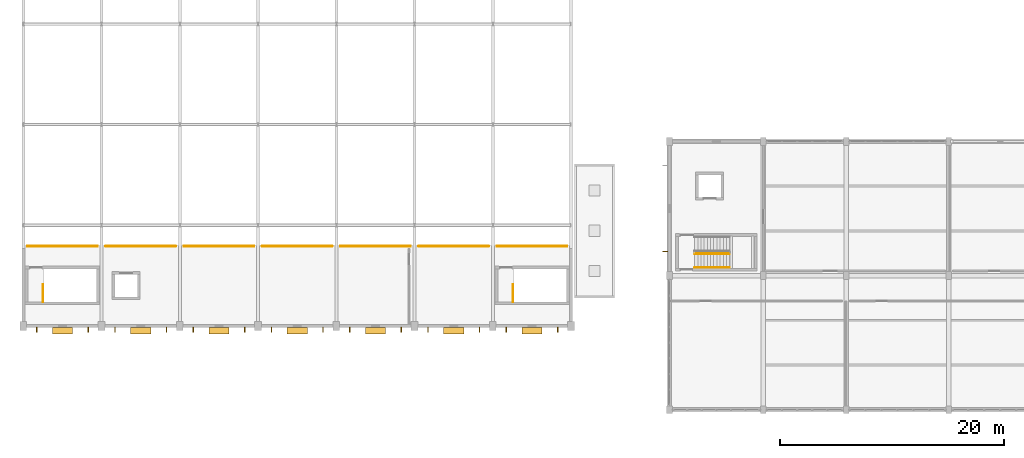
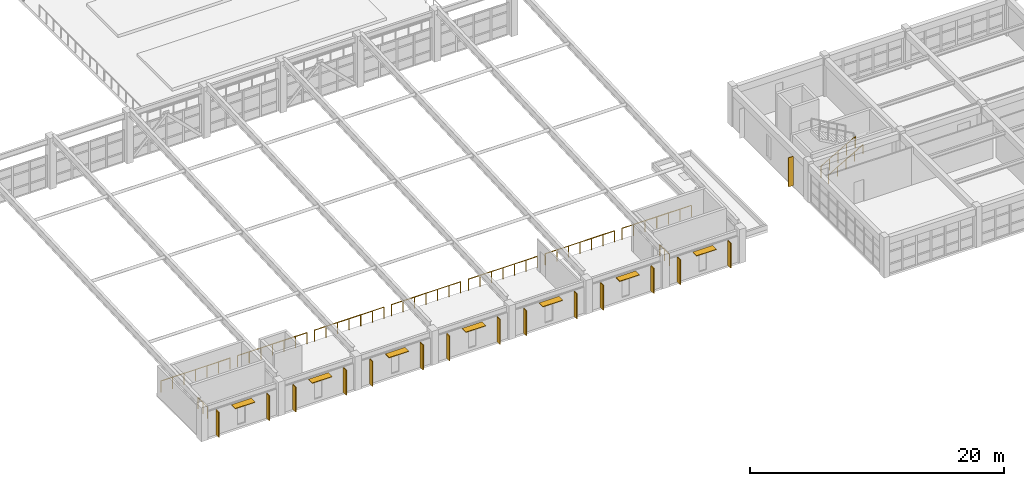
# One storey, part 108 of 150: 22 shading devices, 11 railings.
"""IFC4 building model written with IfcOpenShell, lengths in metres."""

import ifcopenshell
import ifcopenshell.guid

model = None  # the IFC model being written
_history = None  # IfcOwnerHistory: only IFC2X3 demands one
_inside = {}  # id of a spatial element -> (the spatial element, [elements in it])
_under = {}  # id of a project, library or spatial element -> (it, [spatial elements below it])
_declared = {}  # id of a project -> (the project, [libraries it declares])
_typed = {}  # id of a type object -> (the type object, [elements of that type])
_made_of = {}  # id of a material, layer set ... -> (it, [elements and type objects made of it])


def new_model(schema):
    """Start an empty IFC model of exactly this schema.

    Asked for "IFC4X3", IfcOpenShell would pick the latest addendum, in which some entities
    have other attributes; the version numbers below select the first issue.
    IFC2X3 requires an IfcOwnerHistory on every rooted entity: one is made here for all.
    """
    global model, _history
    if schema == "IFC4X3":
        model = ifcopenshell.file(schema_version=(4, 3, 0, 0))
    else:
        model = ifcopenshell.file(schema=schema)
    _inside.clear()
    _under.clear()
    _declared.clear()
    _typed.clear()
    _made_of.clear()
    _history = None
    if model.schema == "IFC2X3":
        org = make("IfcOrganization", Name="unknown")
        user = make(
            "IfcPersonAndOrganization",
            ThePerson=make("IfcPerson", FamilyName="unknown"),
            TheOrganization=org,
        )
        app = make(
            "IfcApplication",
            ApplicationDeveloper=org,
            Version="unknown",
            ApplicationFullName="unknown",
            ApplicationIdentifier="unknown",
        )
        _history = make(
            "IfcOwnerHistory",
            OwningUser=user,
            OwningApplication=app,
            ChangeAction="ADDED",
            CreationDate=0,
        )
    return model


def make(cls, **values):
    """One entity of the class cls with the attributes given. An attribute that is None is left unset."""
    return model.create_entity(
        cls, **{name: value for name, value in values.items() if value is not None}
    )


def rooted(cls, **values):
    """An entity with a GlobalId (a new one), such as an element, a storey or a relation."""
    return make(cls, GlobalId=ifcopenshell.guid.new(), OwnerHistory=_history, **values)


def si_unit(unit_type, name, prefix=None):
    """IfcSIUnit, for example si_unit("LENGTHUNIT", "METRE", prefix="MILLI")."""
    return make("IfcSIUnit", UnitType=unit_type, Prefix=prefix, Name=name)


def assignment(units):
    """IfcUnitAssignment: the units of a project."""
    return None if units is None else make("IfcUnitAssignment", Units=units)


def point(xyz):
    """IfcCartesianPoint."""
    return None if xyz is None else make("IfcCartesianPoint", Coordinates=xyz)


def direction(xyz):
    """IfcDirection."""
    return None if xyz is None else make("IfcDirection", DirectionRatios=xyz)


def frame(location, z_axis=None, x_axis=None):
    """IfcAxis2Placement3D, a coordinate frame: its origin and axes. An axis left out is left unset."""
    return make(
        "IfcAxis2Placement3D",
        Location=point(location),
        Axis=direction(z_axis),
        RefDirection=direction(x_axis),
    )


def frame_2d(location, x_axis=None):
    """IfcAxis2Placement2D, a coordinate frame in the plane: its origin and x axis."""
    return make(
        "IfcAxis2Placement2D", Location=point(location), RefDirection=direction(x_axis)
    )


def origin():
    """The frame at (0, 0, 0) with its axes left unset."""
    return frame((0.0, 0.0, 0.0))


def origin_2d():
    """The frame at (0, 0) in the plane with its x axis left unset."""
    return frame_2d((0.0, 0.0))


def place(relative_to, where):
    """IfcLocalPlacement: puts the frame where relative to a parent placement (None: the world)."""
    return make(
        "IfcLocalPlacement", PlacementRelTo=relative_to, RelativePlacement=where
    )


def context(
    kind, dimensions, precision=None, world=None, true_north=None, identifier=None
):
    """IfcGeometricRepresentationContext, for example the 3D "Model" context."""
    return make(
        "IfcGeometricRepresentationContext",
        ContextIdentifier=identifier,
        ContextType=kind,
        CoordinateSpaceDimension=dimensions,
        Precision=precision,
        WorldCoordinateSystem=world,
        TrueNorth=true_north,
    )


def subcontext(parent, identifier, kind, view, scale=None):
    """IfcGeometricRepresentationSubContext, for example "Body" below "Model"."""
    return make(
        "IfcGeometricRepresentationSubContext",
        ContextIdentifier=identifier,
        ContextType=kind,
        ParentContext=parent,
        TargetScale=scale,
        TargetView=view,
    )


def project(units=None, contexts=None):
    """IfcProject with its units and contexts."""
    return rooted(
        "IfcProject",
        Name="project",
        RepresentationContexts=contexts,
        UnitsInContext=assignment(units),
    )


def spatial(cls, under=None, at=None, **own):
    """A site, building, storey or space (cls), placed at a placement, below another one or the project."""
    s = rooted(cls, ObjectPlacement=at, **own)
    if under is not None:
        _under.setdefault(under.id(), (under, []))[1].append(s)
    return s


def profile(cls, at=None, kind="AREA", **sizes):
    """A parametric profile (cls). Its sizes go by their IFC names, for example OverallWidth=200.0."""
    return make(cls, ProfileType=kind, Position=at, **sizes)


def rectangle(**sizes):
    """IfcRectangleProfileDef."""
    return profile("IfcRectangleProfileDef", **sizes)


def circle(**sizes):
    """IfcCircleProfileDef."""
    return profile("IfcCircleProfileDef", **sizes)


def extrude(swept, where, along, depth):
    """IfcExtrudedAreaSolid: the profile swept, set in the frame where, extruded along a direction by depth."""
    return make(
        "IfcExtrudedAreaSolid",
        SweptArea=swept,
        Position=where,
        ExtrudedDirection=direction(along),
        Depth=depth,
    )


def shape(context_of_items, identifier, shape_type, items):
    """IfcShapeRepresentation: the items that make up one representation, for example the "Body"."""
    return make(
        "IfcShapeRepresentation",
        ContextOfItems=context_of_items,
        RepresentationIdentifier=identifier,
        RepresentationType=shape_type,
        Items=items,
    )


def material(Name=None, Category=None):
    """IfcMaterial."""
    return make("IfcMaterial", Name=Name, Category=Category)


def layer(
    of_material, thickness, ventilated=None, Name=None, Category=None, Priority=None
):
    """IfcMaterialLayer: one layer of a wall or slab, of a material (None: an air gap)."""
    return make(
        "IfcMaterialLayer",
        Material=of_material,
        LayerThickness=thickness,
        IsVentilated=ventilated,
        Name=Name,
        Category=Category,
        Priority=Priority,
    )


def layer_set(layers, Name=None):
    """IfcMaterialLayerSet."""
    return make("IfcMaterialLayerSet", MaterialLayers=layers, LayerSetName=Name)


def made_of(thing, what):
    """Note that an element or type object is made of a material, layer set ...; save() writes the relation."""
    if what is not None:
        _made_of.setdefault(what.id(), (what, []))[1].append(thing)
    return thing


def type_object(cls, material=None, **own):
    """A type object (cls), such as IfcWallType, which elements share."""
    return made_of(rooted(cls, **own), material)


def element(
    cls,
    number,
    at=None,
    inside=None,
    cuts=None,
    type_object=None,
    material=None,
    context=None,
    identifier="Body",
    shape_type=None,
    held_by="IfcProductDefinitionShape",
    body=None,
    shapes=None,
    **own,
):
    """One element of the class cls, such as IfcWall. Its Tag is "e" and its number.

    at: its placement. inside: the storey or other place that contains it. cuts: it is an
    opening in that element (IfcRelVoidsElement). A single representation is given by context,
    identifier, shape_type and body (its items); several are given by shapes. held_by: the class
    of the entity that holds the representations. save() writes the other relations.
    """
    e = rooted(cls, Tag="e%d" % number, ObjectPlacement=at, **own)
    if body is not None:
        shapes = [shape(context, identifier, shape_type, body)]
    if shapes is not None:
        e.Representation = make(held_by, Representations=shapes)
    if inside is not None:
        _inside.setdefault(inside.id(), (inside, []))[1].append(e)
    if cuts is not None:
        rooted(
            "IfcRelVoidsElement", RelatingBuildingElement=cuts, RelatedOpeningElement=e
        )
    if type_object is not None:
        _typed.setdefault(type_object.id(), (type_object, []))[1].append(e)
    return made_of(e, material)


def aggregate(whole, parts):
    """IfcRelAggregates: a whole, such as a stair, and the parts it consists of."""
    return rooted("IfcRelAggregates", RelatingObject=whole, RelatedObjects=parts)


def save(model, path):
    """Write the relations noted so far, then the file.

    IfcRelAggregates (storeys below a building ...), IfcRelContainedInSpatialStructure (elements
    in a storey), IfcRelDefinesByType, IfcRelAssociatesMaterial and IfcRelDeclares: one each for
    every whole, place, type object, material and project.
    """
    for whole, parts in _under.values():
        aggregate(whole, parts)
    for where, things in _inside.values():
        rooted(
            "IfcRelContainedInSpatialStructure",
            RelatedElements=things,
            RelatingStructure=where,
        )
    for kind, things in _typed.values():
        rooted("IfcRelDefinesByType", RelatedObjects=things, RelatingType=kind)
    for what, things in _made_of.values():
        rooted("IfcRelAssociatesMaterial", RelatedObjects=things, RelatingMaterial=what)
    for by, libraries in _declared.values():
        rooted("IfcRelDeclares", RelatingContext=by, RelatedDefinitions=libraries)
    model.write(path)


model = new_model("IFC4")

# Units and contexts
model_context = context("Model", 3, precision=1e-05, world=origin(), true_north=direction((0.0, 1.0)))
body_context = subcontext(model_context, "Body", "Model", "MODEL_VIEW")
ifc_project = project(units=[si_unit("LENGTHUNIT", "METRE"), si_unit("AREAUNIT", "SQUARE_METRE"), si_unit("VOLUMEUNIT", "CUBIC_METRE"), si_unit("PLANEANGLEUNIT", "RADIAN"), si_unit("MASSUNIT", "GRAM", prefix="KILO")], contexts=[model_context])

# Site, building, storey
site_placement = place(None, origin())
site = spatial("IfcSite", under=ifc_project, at=site_placement, CompositionType="ELEMENT")
building_placement = place(site_placement, origin())
building = spatial("IfcBuilding", under=site, at=building_placement, Name="Kestramere Prow Commons", CompositionType="ELEMENT")
storey_placement = place(building_placement, frame((0.0, 0.0, 4.5)))
storey = spatial("IfcBuildingStorey", under=building, at=storey_placement, Name="L01", CompositionType="ELEMENT", Elevation=4.5)

# Railings
ifc_material_1 = material(Name="Galvanised Steel S355JR", Category="steel")
railing_type_1 = type_object("IfcRailingType", Name="GRD-STEEL-1100", PredefinedType="GUARDRAIL", material=ifc_material_1)
for number, where, name in (
    (1, (2.550048828125, 14.6201171875, 0.0), "Community Hall Gallery Guardrail 1"),
    (2, (9.550048828125, 14.6201171875, 0.0), "Community Hall Gallery Guardrail 2"),
    (3, (16.550048828125, 14.6201171875, 0.0), "Community Hall Gallery Guardrail 3"),
    (4, (23.550048828125, 14.6201171875, 0.0), "Community Hall Gallery Guardrail 4"),
    (5, (30.550048828125, 14.6201171875, 0.0), "Community Hall Gallery Guardrail 5"),
    (6, (37.550048828125, 14.6201171875, 0.0), "Community Hall Gallery Guardrail 6"),
    (7, (44.550048828125, 14.6201171875, 0.0), "Community Hall Gallery Guardrail 7"),
):
    element("IfcRailing", number, at=place(storey_placement, frame(where)), inside=storey, type_object=railing_type_1, Name=name, PredefinedType="GUARDRAIL", context=body_context, shape_type="SweptSolid", body=[
        extrude(circle(Radius=0.02392578125, at=origin_2d()), frame((0.0, 0.0, 1.076171875), z_axis=(1.0, 0.0, 0.0), x_axis=(0.0, 1.0, 0.0)), (0.0, 0.0, 1.0), 6.300048828125),
        extrude(circle(Radius=0.02099609375, at=origin_2d()), origin(), (0.0, 0.0, 1.0), 1.052001953125),
        extrude(circle(Radius=0.02099609375, at=origin_2d()), frame((1.050048828125, 0.0, 0.0)), (0.0, 0.0, 1.0), 1.052001953125),
        extrude(circle(Radius=0.02099609375, at=origin_2d()), frame((2.10009765625, 0.0, 0.0)), (0.0, 0.0, 1.0), 1.052001953125),
        extrude(circle(Radius=0.02099609375, at=origin_2d()), frame((3.14990234375, 0.0, 0.0)), (0.0, 0.0, 1.0), 1.052001953125),
        extrude(circle(Radius=0.02099609375, at=origin_2d()), frame((4.199951171875, 0.0, 0.0)), (0.0, 0.0, 1.0), 1.052001953125),
        extrude(circle(Radius=0.02099609375, at=origin_2d()), frame((5.25, 0.0, 0.0)), (0.0, 0.0, 1.0), 1.052001953125),
        extrude(circle(Radius=0.02099609375, at=origin_2d()), frame((6.300048828125, 0.0, 0.0)), (0.0, 0.0, 1.0), 1.052001953125),
    ])
ifc_material_2 = material(Name="Galvanised Steel S275JR", Category="steel")
railing_type_2 = type_object("IfcRailingType", Name="RL-ST-GR-1100", PredefinedType="GUARDRAIL", material=ifc_material_2)
for number, where, name in (
    (8, (3.949951171875, 9.64990234375, 0.0), "L01 ST-H1 top well guard 1"),
    (9, (46.0, 9.64990234375, 0.0), "L01 ST-H2 top well guard 1"),
):
    element("IfcRailing", number, at=place(storey_placement, frame(where)), inside=storey, type_object=railing_type_2, Name=name, PredefinedType="GUARDRAIL", context=body_context, shape_type="SweptSolid", body=[
        extrude(circle(Radius=0.02392578125, at=origin_2d()), frame((0.0, 0.0, 1.076171875), z_axis=(0.0, 1.0, 0.0), x_axis=(-1.0, 0.0, 0.0)), (0.0, 0.0, 1.0), 1.550048828125),
        extrude(circle(Radius=0.02099609375, at=origin_2d()), origin(), (0.0, 0.0, 1.0), 1.052001953125),
        extrude(circle(Radius=0.02099609375, at=origin_2d()), frame((0.0, 0.77490234375, 0.0)), (0.0, 0.0, 1.0), 1.052001953125),
        extrude(circle(Radius=0.02099609375, at=origin_2d()), frame((0.0, 1.550048828125, 0.0)), (0.0, 0.0, 1.0), 1.052001953125),
    ])
railing_1_placement = place(storey_placement, frame((62.25, 13.949951171875, 0.16259765625)))
element("IfcRailing", 10, at=railing_1_placement, inside=storey, type_object=railing_type_2, Name="L01 ST-M1 stair guard 1", PredefinedType="GUARDRAIL", context=body_context, shape_type="SweptSolid", body=[
    extrude(circle(Radius=0.02392578125, at=origin_2d()), frame((0.0, 0.0, 1.076171875), z_axis=(0.868729823959, 0.0, 0.495286273749), x_axis=(0.0, 1.0, 0.0)), (0.0, 0.0, 1.0), 3.608642578125),
    extrude(circle(Radius=0.02099609375, at=origin_2d()), origin(), (0.0, 0.0, 1.0), 1.052001953125),
    extrude(circle(Radius=0.02099609375, at=origin_2d()), frame((0.78369140625, 0.0, 0.44677734375)), (0.0, 0.0, 1.0), 1.052001953125),
    extrude(circle(Radius=0.02099609375, at=origin_2d()), frame((1.5673828125, 0.0, 0.8935546875)), (0.0, 0.0, 1.0), 1.052001953125),
    extrude(circle(Radius=0.02099609375, at=origin_2d()), frame((2.351318359375, 0.0, 1.340576171875)), (0.0, 0.0, 1.0), 1.052001953125),
    extrude(circle(Radius=0.02099609375, at=origin_2d()), frame((3.135009765625, 0.0, 1.787353515625)), (0.0, 0.0, 1.0), 1.052001953125),
])
ifc_material_3 = material(Name="Stainless Steel 304", Category="steel")
railing_type_3 = type_object("IfcRailingType", Name="RL-ST-HR-900", PredefinedType="HANDRAIL", material=ifc_material_3)
railing_2_placement = place(storey_placement, frame((62.25, 12.699951171875, 0.324951171875)))
element("IfcRailing", 11, at=railing_2_placement, inside=storey, type_object=railing_type_3, Name="L01 ST-M1 stair handrail 1", PredefinedType="HANDRAIL", context=body_context, shape_type="SweptSolid", body=[
    extrude(circle(Radius=0.02392578125, at=origin_2d()), frame((0.0, 0.0, 0.8759765625), z_axis=(0.86870071446, 0.0, 0.495337328189), x_axis=(0.0, 1.0, 0.0)), (0.0, 0.0, 1.0), 3.60888671875),
    extrude(circle(Radius=0.02099609375, at=origin_2d()), origin(), (0.0, 0.0, 1.0), 0.851806640625),
    extrude(circle(Radius=0.02099609375, at=origin_2d()), frame((0.78369140625, 0.0, 0.44677734375)), (0.0, 0.0, 1.0), 0.851806640625),
    extrude(circle(Radius=0.02099609375, at=origin_2d()), frame((1.5673828125, 0.0, 0.893798828125)), (0.0, 0.0, 1.0), 0.851806640625),
    extrude(circle(Radius=0.02099609375, at=origin_2d()), frame((2.351318359375, 0.0, 1.3408203125)), (0.0, 0.0, 1.0), 0.851806640625),
    extrude(circle(Radius=0.02099609375, at=origin_2d()), frame((3.135009765625, 0.0, 1.78759765625)), (0.0, 0.0, 1.0), 0.851806640625),
])

# Shading devices
ifc_material_4 = material(Name="Powder-Coated Aluminium 6063-T6", Category="aluminium")
ifc_layer_1 = layer(ifc_material_4, 0.06005859375)
ifc_layer_set_1 = layer_set([ifc_layer_1], Name="Powder-Coated Aluminium 6063-T6")
shading_device_type_1 = type_object("IfcShadingDeviceType", Name="SHD-LOUVRE-600", PredefinedType="JALOUSIE", material=ifc_layer_set_1)
for number, where, z_axis, x_axis, name in (
    (12, (5.699951171875, 7.06005859375, 2.349853515625), (0.0, 0.0, 1.0), (1.0, 0.0, 0.0), "Hall Gallery Sunshade Louvre 1"),
    (13, (12.699951171875, 7.06005859375, 2.349853515625), (0.0, 0.0, 1.0), (1.0, 0.0, 0.0), "Hall Gallery Sunshade Louvre 2"),
    (14, (19.699951171875, 7.06005859375, 2.349853515625), (0.0, 0.0, 1.0), (1.0, 0.0, 0.0), "Hall Gallery Sunshade Louvre 3"),
    (15, (26.699951171875, 7.06005859375, 2.349853515625), (0.0, 0.0, 1.0), (1.0, 0.0, 0.0), "Hall Gallery Sunshade Louvre 4"),
    (16, (33.699951171875, 7.06005859375, 2.349853515625), (0.0, 0.0, 1.0), (1.0, 0.0, 0.0), "Hall Gallery Sunshade Louvre 5"),
    (17, (40.699951171875, 7.06005859375, 2.349853515625), (0.0, 0.0, 1.0), (1.0, 0.0, 0.0), "Hall Gallery Sunshade Louvre 6"),
    (18, (47.699951171875, 7.06005859375, 2.349853515625), (0.0, 0.0, 1.0), (1.0, 0.0, 0.0), "Hall Gallery Sunshade Louvre 7"),
):
    element("IfcShadingDevice", number, at=place(storey_placement, frame(where, z_axis=z_axis, x_axis=x_axis)), inside=storey, type_object=shading_device_type_1, Name=name, PredefinedType="JALOUSIE", context=body_context, shape_type="SweptSolid", body=[
        extrude(rectangle(XDim=1.800048828125, YDim=0.60009765625, at=origin_2d()), origin(), (0.0, 0.0, 1.0), 0.06005859375),
    ])
ifc_material_5 = material(Name="Weathered Bronze-Anodised Aluminium", Category="aluminium")
ifc_layer_2 = layer(ifc_material_5, 0.074951171875)
ifc_layer_set_2 = layer_set([ifc_layer_2], Name="Weathered Bronze-Anodised Aluminium")
shading_device_type_2 = type_object("IfcShadingDeviceType", Name="SHD-VFIN-450", PredefinedType="USERDEFINED", material=ifc_layer_set_2)
for number, where, z_axis, x_axis, name in (
    (19, (3.39990234375, 7.135009765625, 0.02001953125), (0.0, 0.0, 1.0), (1.0, 0.0, 0.0), "Hall L01 Vertical Fin 1-1"),
    (20, (8.0, 7.135009765625, 0.02001953125), (0.0, 0.0, 1.0), (1.0, 0.0, 0.0), "Hall L01 Vertical Fin 1-2"),
    (21, (10.39990234375, 7.135009765625, 0.02001953125), (0.0, 0.0, 1.0), (1.0, 0.0, 0.0), "Hall L01 Vertical Fin 2-1"),
    (22, (15.0, 7.135009765625, 0.02001953125), (0.0, 0.0, 1.0), (1.0, 0.0, 0.0), "Hall L01 Vertical Fin 2-2"),
    (23, (17.39990234375, 7.135009765625, 0.02001953125), (0.0, 0.0, 1.0), (1.0, 0.0, 0.0), "Hall L01 Vertical Fin 3-1"),
    (24, (22.0, 7.135009765625, 0.02001953125), (0.0, 0.0, 1.0), (1.0, 0.0, 0.0), "Hall L01 Vertical Fin 3-2"),
    (25, (24.39990234375, 7.135009765625, 0.02001953125), (0.0, 0.0, 1.0), (1.0, 0.0, 0.0), "Hall L01 Vertical Fin 4-1"),
    (26, (29.0, 7.135009765625, 0.02001953125), (0.0, 0.0, 1.0), (1.0, 0.0, 0.0), "Hall L01 Vertical Fin 4-2"),
    (27, (31.39990234375, 7.135009765625, 0.02001953125), (0.0, 0.0, 1.0), (1.0, 0.0, 0.0), "Hall L01 Vertical Fin 5-1"),
    (28, (36.0, 7.135009765625, 0.02001953125), (0.0, 0.0, 1.0), (1.0, 0.0, 0.0), "Hall L01 Vertical Fin 5-2"),
    (29, (38.39990234375, 7.135009765625, 0.02001953125), (0.0, 0.0, 1.0), (1.0, 0.0, 0.0), "Hall L01 Vertical Fin 6-1"),
    (30, (43.0, 7.135009765625, 0.02001953125), (0.0, 0.0, 1.0), (1.0, 0.0, 0.0), "Hall L01 Vertical Fin 6-2"),
    (31, (45.39990234375, 7.135009765625, 0.02001953125), (0.0, 0.0, 1.0), (1.0, 0.0, 0.0), "Hall L01 Vertical Fin 7-1"),
    (32, (50.0, 7.135009765625, 0.02001953125), (0.0, 0.0, 1.0), (1.0, 0.0, 0.0), "Hall L01 Vertical Fin 7-2"),
):
    element("IfcShadingDevice", number, at=place(storey_placement, frame(where, z_axis=z_axis, x_axis=x_axis)), inside=storey, type_object=shading_device_type_2, Name=name, ObjectType="VERTICAL FIN", PredefinedType="USERDEFINED", context=body_context, shape_type="SweptSolid", body=[
        extrude(rectangle(XDim=0.074951171875, YDim=0.449951171875, at=origin_2d()), origin(), (0.0, 0.0, 1.0), 2.39990234375),
    ])
shading_device_placement = place(storey_placement, frame((59.635009765625, 14.14990234375, 0.14990234375), z_axis=(0.0, 0.0, 1.0), x_axis=(1.0, 0.0, 0.0)))
element("IfcShadingDevice", 33, at=shading_device_placement, inside=storey, type_object=shading_device_type_2, Name="Market L01 W Vertical Fin 2-1", ObjectType="VERTICAL FIN", PredefinedType="USERDEFINED", context=body_context, shape_type="SweptSolid", body=[
    extrude(rectangle(XDim=0.449951171875, YDim=0.074951171875, at=origin_2d()), origin(), (0.0, 0.0, 1.0), 2.800048828125),
])

save(model, "model.ifc")
